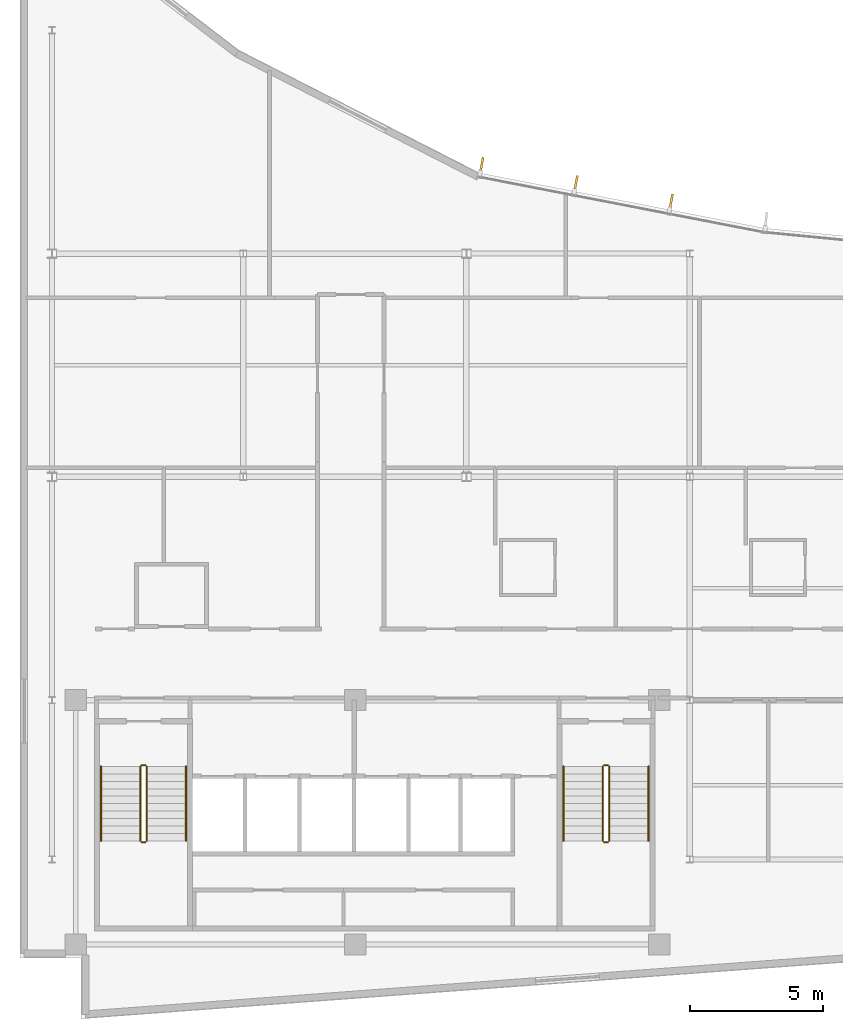
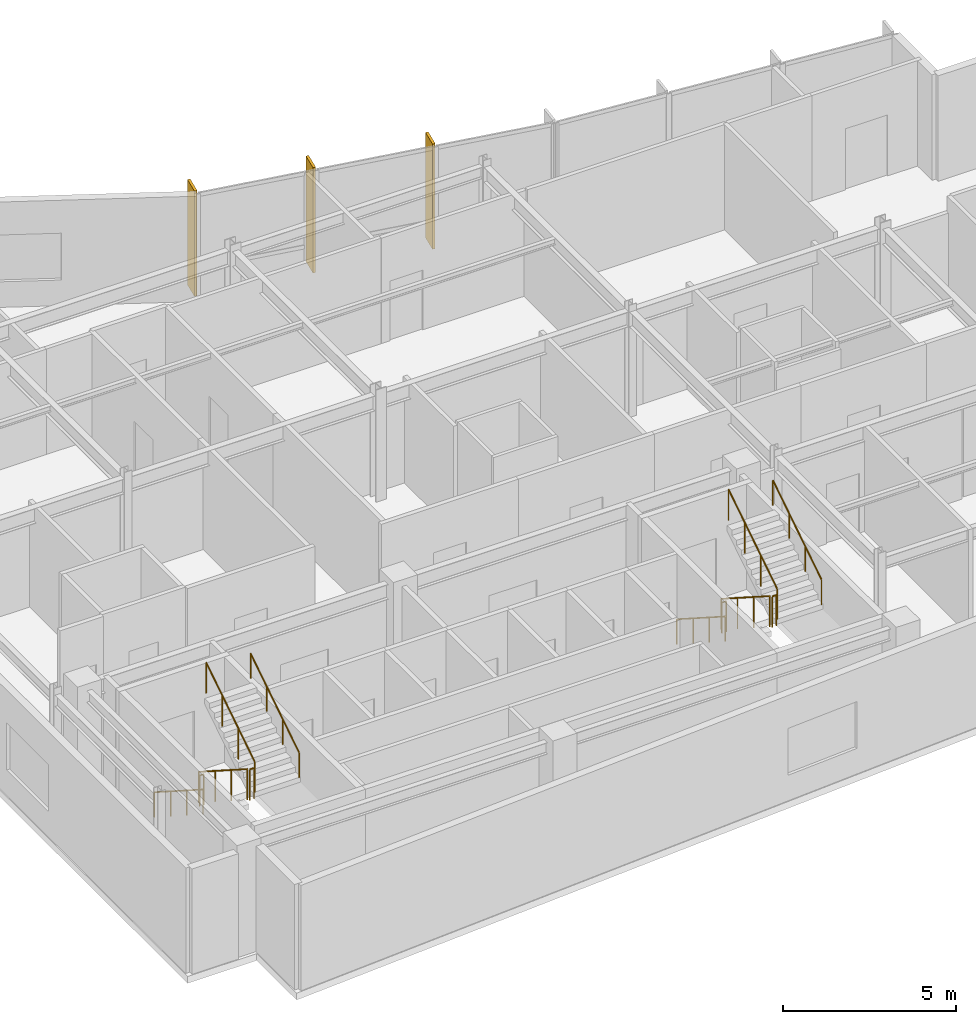
# One storey, part 13 of 15: 12 railings, 3 shading devices.
"""IFC4 building model written with IfcOpenShell, lengths in metres."""

from ifc_helpers import new_model, si_unit, direction, frame, origin, origin_2d, place, context, subcontext, project, spatial, rectangle, circle, extrude, material, layer, layer_set, type_object, element, save


model = new_model("IFC4")

# Units and contexts
model_context = context("Model", 3, precision=1e-05, world=origin(), true_north=direction((0.0, 1.0)))
body_context = subcontext(model_context, "Body", "Model", "MODEL_VIEW")
ifc_project = project(units=[si_unit("LENGTHUNIT", "METRE"), si_unit("AREAUNIT", "SQUARE_METRE"), si_unit("VOLUMEUNIT", "CUBIC_METRE"), si_unit("PLANEANGLEUNIT", "RADIAN"), si_unit("MASSUNIT", "GRAM", prefix="KILO")], contexts=[model_context])

# Site, building, storey
site_placement = place(None, origin())
site = spatial("IfcSite", under=ifc_project, at=site_placement, CompositionType="ELEMENT")
building_placement = place(site_placement, origin())
building = spatial("IfcBuilding", under=site, at=building_placement, Name="Varnakote Quay Hospital", CompositionType="ELEMENT")
storey_placement = place(building_placement, frame((0.0, 0.0, 276.300048828125)))
storey = spatial("IfcBuildingStorey", under=building, at=storey_placement, Name="L68", CompositionType="ELEMENT", Elevation=276.300048828125)

# Railings
ifc_material_1 = material(Name="Brushed stainless steel balustrade", Category="steel")
railing_type_1 = type_object("IfcRailingType", Name="RLG-STAIR-GUARD-1150", PredefinedType="GUARDRAIL", material=ifc_material_1)
railing_1_placement = place(storey_placement, frame((4.530029296875, 9.5, 0.179443359375)))
element("IfcRailing", 1, at=railing_1_placement, inside=storey, type_object=railing_type_1, Name="L68 ST-01 stair guard 1", PredefinedType="GUARDRAIL", context=body_context, shape_type="SweptSolid", body=[
    extrude(circle(Radius=0.02392578125, at=origin_2d()), frame((0.0, 0.0, 1.076171875), z_axis=(0.0, -0.841809871826, 0.539774156196), x_axis=(1.0, 0.0, 0.0)), (0.0, 0.0, 1.0), 3.326171875),
    extrude(circle(Radius=0.02099609375, at=origin_2d()), origin(), (0.0, 0.0, 1.0), 1.052001953125),
    extrude(circle(Radius=0.02099609375, at=origin_2d()), frame((0.0, -0.933349609375, 0.598388671875)), (0.0, 0.0, 1.0), 1.052001953125),
    extrude(circle(Radius=0.02099609375, at=origin_2d()), frame((0.0, -1.86669921875, 1.197021484375)), (0.0, 0.0, 1.0), 1.052001953125),
    extrude(circle(Radius=0.02099609375, at=origin_2d()), frame((0.0, -2.800048828125, 1.79541015625)), (0.0, 0.0, 1.0), 1.052001953125),
])
railing_2_placement = place(storey_placement, frame((4.580078125, 6.64990234375, 1.974853515625)))
element("IfcRailing", 2, at=railing_2_placement, inside=storey, type_object=railing_type_1, Name="L68 ST-01 stair guard 2", PredefinedType="GUARDRAIL", context=body_context, shape_type="SweptSolid", body=[
    extrude(circle(Radius=0.02392578125, at=origin_2d()), frame((0.0, 0.0, 1.076171875), z_axis=(1.0, 0.0, 0.0), x_axis=(0.0, 1.0, 0.0)), (0.0, 0.0, 1.0), 0.139892578125),
    extrude(circle(Radius=0.02099609375, at=origin_2d()), origin(), (0.0, 0.0, 1.0), 1.052001953125),
    extrude(circle(Radius=0.02099609375, at=origin_2d()), frame((0.139892578125, 0.0, 0.0)), (0.0, 0.0, 1.0), 1.052001953125),
])
railing_3_placement = place(storey_placement, frame((4.77001953125, 6.699951171875, 2.154541015625)))
element("IfcRailing", 3, at=railing_3_placement, inside=storey, type_object=railing_type_1, Name="L68 ST-01 stair guard 3", PredefinedType="GUARDRAIL", context=body_context, shape_type="SweptSolid", body=[
    extrude(circle(Radius=0.02392578125, at=origin_2d()), frame((0.0, 0.0, 1.076171875), z_axis=(0.0, 0.841809871826, 0.539774156196), x_axis=(-1.0, 0.0, 0.0)), (0.0, 0.0, 1.0), 3.326171875),
    extrude(circle(Radius=0.02099609375, at=origin_2d()), origin(), (0.0, 0.0, 1.0), 1.052001953125),
    extrude(circle(Radius=0.02099609375, at=origin_2d()), frame((0.0, 0.933349609375, 0.598388671875)), (0.0, 0.0, 1.0), 1.052001953125),
    extrude(circle(Radius=0.02099609375, at=origin_2d()), frame((0.0, 1.86669921875, 1.197021484375)), (0.0, 0.0, 1.0), 1.052001953125),
    extrude(circle(Radius=0.02099609375, at=origin_2d()), frame((0.0, 2.800048828125, 1.79541015625)), (0.0, 0.0, 1.0), 1.052001953125),
])
railing_4_placement = place(storey_placement, frame((4.580078125, 9.550048828125, 0.0)))
element("IfcRailing", 4, at=railing_4_placement, inside=storey, type_object=railing_type_1, Name="L68 ST-01 stair guard 4", PredefinedType="GUARDRAIL", context=body_context, shape_type="SweptSolid", body=[
    extrude(circle(Radius=0.02392578125, at=origin_2d()), frame((0.0, 0.0, 1.076171875), z_axis=(1.0, 0.0, 0.0), x_axis=(0.0, 1.0, 0.0)), (0.0, 0.0, 1.0), 0.139892578125),
    extrude(circle(Radius=0.02099609375, at=origin_2d()), origin(), (0.0, 0.0, 1.0), 1.052001953125),
    extrude(circle(Radius=0.02099609375, at=origin_2d()), frame((0.139892578125, 0.0, 0.0)), (0.0, 0.0, 1.0), 1.052001953125),
])
railing_5_placement = place(storey_placement, frame((21.929931640625, 9.5, 0.179443359375)))
element("IfcRailing", 5, at=railing_5_placement, inside=storey, type_object=railing_type_1, Name="L68 ST-02 stair guard 1", PredefinedType="GUARDRAIL", context=body_context, shape_type="SweptSolid", body=[
    extrude(circle(Radius=0.02392578125, at=origin_2d()), frame((0.0, 0.0, 1.076171875), z_axis=(0.0, -0.841809871826, 0.539774156196), x_axis=(1.0, 0.0, 0.0)), (0.0, 0.0, 1.0), 3.326171875),
    extrude(circle(Radius=0.02099609375, at=origin_2d()), origin(), (0.0, 0.0, 1.0), 1.052001953125),
    extrude(circle(Radius=0.02099609375, at=origin_2d()), frame((0.0, -0.933349609375, 0.598388671875)), (0.0, 0.0, 1.0), 1.052001953125),
    extrude(circle(Radius=0.02099609375, at=origin_2d()), frame((0.0, -1.86669921875, 1.197021484375)), (0.0, 0.0, 1.0), 1.052001953125),
    extrude(circle(Radius=0.02099609375, at=origin_2d()), frame((0.0, -2.800048828125, 1.79541015625)), (0.0, 0.0, 1.0), 1.052001953125),
])
railing_6_placement = place(storey_placement, frame((21.97998046875, 6.64990234375, 1.974853515625)))
element("IfcRailing", 6, at=railing_6_placement, inside=storey, type_object=railing_type_1, Name="L68 ST-02 stair guard 2", PredefinedType="GUARDRAIL", context=body_context, shape_type="SweptSolid", body=[
    extrude(circle(Radius=0.02392578125, at=origin_2d()), frame((0.0, 0.0, 1.076171875), z_axis=(1.0, 0.0, 0.0), x_axis=(0.0, 1.0, 0.0)), (0.0, 0.0, 1.0), 0.14013671875),
    extrude(circle(Radius=0.02099609375, at=origin_2d()), origin(), (0.0, 0.0, 1.0), 1.052001953125),
    extrude(circle(Radius=0.02099609375, at=origin_2d()), frame((0.14013671875, 0.0, 0.0)), (0.0, 0.0, 1.0), 1.052001953125),
])
railing_7_placement = place(storey_placement, frame((22.169921875, 6.699951171875, 2.154541015625)))
element("IfcRailing", 7, at=railing_7_placement, inside=storey, type_object=railing_type_1, Name="L68 ST-02 stair guard 3", PredefinedType="GUARDRAIL", context=body_context, shape_type="SweptSolid", body=[
    extrude(circle(Radius=0.02392578125, at=origin_2d()), frame((0.0, 0.0, 1.076171875), z_axis=(0.0, 0.841809871826, 0.539774156196), x_axis=(-1.0, 0.0, 0.0)), (0.0, 0.0, 1.0), 3.326171875),
    extrude(circle(Radius=0.02099609375, at=origin_2d()), origin(), (0.0, 0.0, 1.0), 1.052001953125),
    extrude(circle(Radius=0.02099609375, at=origin_2d()), frame((0.0, 0.933349609375, 0.598388671875)), (0.0, 0.0, 1.0), 1.052001953125),
    extrude(circle(Radius=0.02099609375, at=origin_2d()), frame((0.0, 1.86669921875, 1.197021484375)), (0.0, 0.0, 1.0), 1.052001953125),
    extrude(circle(Radius=0.02099609375, at=origin_2d()), frame((0.0, 2.800048828125, 1.79541015625)), (0.0, 0.0, 1.0), 1.052001953125),
])
railing_8_placement = place(storey_placement, frame((21.97998046875, 9.550048828125, 0.0)))
element("IfcRailing", 8, at=railing_8_placement, inside=storey, type_object=railing_type_1, Name="L68 ST-02 stair guard 4", PredefinedType="GUARDRAIL", context=body_context, shape_type="SweptSolid", body=[
    extrude(circle(Radius=0.02392578125, at=origin_2d()), frame((0.0, 0.0, 1.076171875), z_axis=(1.0, 0.0, 0.0), x_axis=(0.0, 1.0, 0.0)), (0.0, 0.0, 1.0), 0.14013671875),
    extrude(circle(Radius=0.02099609375, at=origin_2d()), origin(), (0.0, 0.0, 1.0), 1.052001953125),
    extrude(circle(Radius=0.02099609375, at=origin_2d()), frame((0.14013671875, 0.0, 0.0)), (0.0, 0.0, 1.0), 1.052001953125),
])
ifc_material_2 = material(Name="Brushed stainless steel handrail", Category="steel")
railing_type_2 = type_object("IfcRailingType", Name="RLG-STAIR-HND-920", PredefinedType="HANDRAIL", material=ifc_material_2)
railing_9_placement = place(storey_placement, frame((3.050048828125, 9.5, 0.179443359375)))
element("IfcRailing", 9, at=railing_9_placement, inside=storey, type_object=railing_type_2, Name="L68 ST-01 stair handrail 1", PredefinedType="HANDRAIL", context=body_context, shape_type="SweptSolid", body=[
    extrude(circle(Radius=0.02392578125, at=origin_2d()), frame((0.0, 0.0, 0.8759765625), z_axis=(0.0, -0.841809871826, 0.539774156196), x_axis=(1.0, 0.0, 0.0)), (0.0, 0.0, 1.0), 3.326171875),
    extrude(circle(Radius=0.02099609375, at=origin_2d()), origin(), (0.0, 0.0, 1.0), 0.851806640625),
    extrude(circle(Radius=0.02099609375, at=origin_2d()), frame((0.0, -0.933349609375, 0.598388671875)), (0.0, 0.0, 1.0), 0.851806640625),
    extrude(circle(Radius=0.02099609375, at=origin_2d()), frame((0.0, -1.86669921875, 1.197021484375)), (0.0, 0.0, 1.0), 0.851806640625),
    extrude(circle(Radius=0.02099609375, at=origin_2d()), frame((0.0, -2.800048828125, 1.79541015625)), (0.0, 0.0, 1.0), 0.851806640625),
])
railing_10_placement = place(storey_placement, frame((6.25, 6.699951171875, 2.154541015625)))
element("IfcRailing", 10, at=railing_10_placement, inside=storey, type_object=railing_type_2, Name="L68 ST-01 stair handrail 2", PredefinedType="HANDRAIL", context=body_context, shape_type="SweptSolid", body=[
    extrude(circle(Radius=0.02392578125, at=origin_2d()), frame((0.0, 0.0, 0.8759765625), z_axis=(0.0, 0.841809871826, 0.539774156196), x_axis=(-1.0, 0.0, 0.0)), (0.0, 0.0, 1.0), 3.326171875),
    extrude(circle(Radius=0.02099609375, at=origin_2d()), origin(), (0.0, 0.0, 1.0), 0.851806640625),
    extrude(circle(Radius=0.02099609375, at=origin_2d()), frame((0.0, 0.933349609375, 0.598388671875)), (0.0, 0.0, 1.0), 0.851806640625),
    extrude(circle(Radius=0.02099609375, at=origin_2d()), frame((0.0, 1.86669921875, 1.197021484375)), (0.0, 0.0, 1.0), 0.851806640625),
    extrude(circle(Radius=0.02099609375, at=origin_2d()), frame((0.0, 2.800048828125, 1.79541015625)), (0.0, 0.0, 1.0), 0.851806640625),
])
railing_11_placement = place(storey_placement, frame((20.449951171875, 9.5, 0.179443359375)))
element("IfcRailing", 11, at=railing_11_placement, inside=storey, type_object=railing_type_2, Name="L68 ST-02 stair handrail 1", PredefinedType="HANDRAIL", context=body_context, shape_type="SweptSolid", body=[
    extrude(circle(Radius=0.02392578125, at=origin_2d()), frame((0.0, 0.0, 0.8759765625), z_axis=(0.0, -0.841809871826, 0.539774156196), x_axis=(1.0, 0.0, 0.0)), (0.0, 0.0, 1.0), 3.326171875),
    extrude(circle(Radius=0.02099609375, at=origin_2d()), origin(), (0.0, 0.0, 1.0), 0.851806640625),
    extrude(circle(Radius=0.02099609375, at=origin_2d()), frame((0.0, -0.933349609375, 0.598388671875)), (0.0, 0.0, 1.0), 0.851806640625),
    extrude(circle(Radius=0.02099609375, at=origin_2d()), frame((0.0, -1.86669921875, 1.197021484375)), (0.0, 0.0, 1.0), 0.851806640625),
    extrude(circle(Radius=0.02099609375, at=origin_2d()), frame((0.0, -2.800048828125, 1.79541015625)), (0.0, 0.0, 1.0), 0.851806640625),
])
railing_12_placement = place(storey_placement, frame((23.64990234375, 6.699951171875, 2.154541015625)))
element("IfcRailing", 12, at=railing_12_placement, inside=storey, type_object=railing_type_2, Name="L68 ST-02 stair handrail 2", PredefinedType="HANDRAIL", context=body_context, shape_type="SweptSolid", body=[
    extrude(circle(Radius=0.02392578125, at=origin_2d()), frame((0.0, 0.0, 0.8759765625), z_axis=(0.0, 0.841809871826, 0.539774156196), x_axis=(-1.0, 0.0, 0.0)), (0.0, 0.0, 1.0), 3.326171875),
    extrude(circle(Radius=0.02099609375, at=origin_2d()), origin(), (0.0, 0.0, 1.0), 0.851806640625),
    extrude(circle(Radius=0.02099609375, at=origin_2d()), frame((0.0, 0.933349609375, 0.598388671875)), (0.0, 0.0, 1.0), 0.851806640625),
    extrude(circle(Radius=0.02099609375, at=origin_2d()), frame((0.0, 1.86669921875, 1.197021484375)), (0.0, 0.0, 1.0), 0.851806640625),
    extrude(circle(Radius=0.02099609375, at=origin_2d()), frame((0.0, 2.800048828125, 1.79541015625)), (0.0, 0.0, 1.0), 0.851806640625),
])

# Shading devices
ifc_material_3 = material(Name="Anodised aluminium 6063-T6 Bronze", Category="aluminium")
ifc_layer = layer(ifc_material_3, 0.0849609375)
ifc_layer_set = layer_set([ifc_layer], Name="Anodised aluminium 6063-T6 Bronze")
shading_device_type = type_object("IfcShadingDeviceType", Name="SHD-BRONZE-FIN-620", PredefinedType="USERDEFINED", material=ifc_layer_set)
for number, where, z_axis, x_axis, name in (
    (13, (24.498291015625, 30.73388671875, 0.0), (0.0, 0.0, 1.0), (-0.190466331231, -0.981693728546, 0.0), "L68 Anodised Bronze Vertical Shading FIN"),
    (14, (20.91748046875, 31.428466796875, 0.0), (0.0, 0.0, 1.0), (-0.190466331231, -0.981693728546, 0.0), "L68 Anodised Bronze Vertical Shading FIN"),
    (15, (17.368896484375, 32.11669921875, 0.0), (0.0, 0.0, 1.0), (-0.190466331231, -0.981693728546, 0.0), "L68 Anodised Bronze Vertical Shading FIN"),
):
    element("IfcShadingDevice", number, at=place(storey_placement, frame(where, z_axis=z_axis, x_axis=x_axis)), inside=storey, type_object=shading_device_type, Name=name, ObjectType="FIN", PredefinedType="USERDEFINED", context=body_context, shape_type="SweptSolid", body=[
        extrude(rectangle(XDim=0.6201171875, YDim=0.0849609375, at=origin_2d()), origin(), (0.0, 0.0, 1.0), 3.7099609375),
    ])

save(model, "model.ifc")
